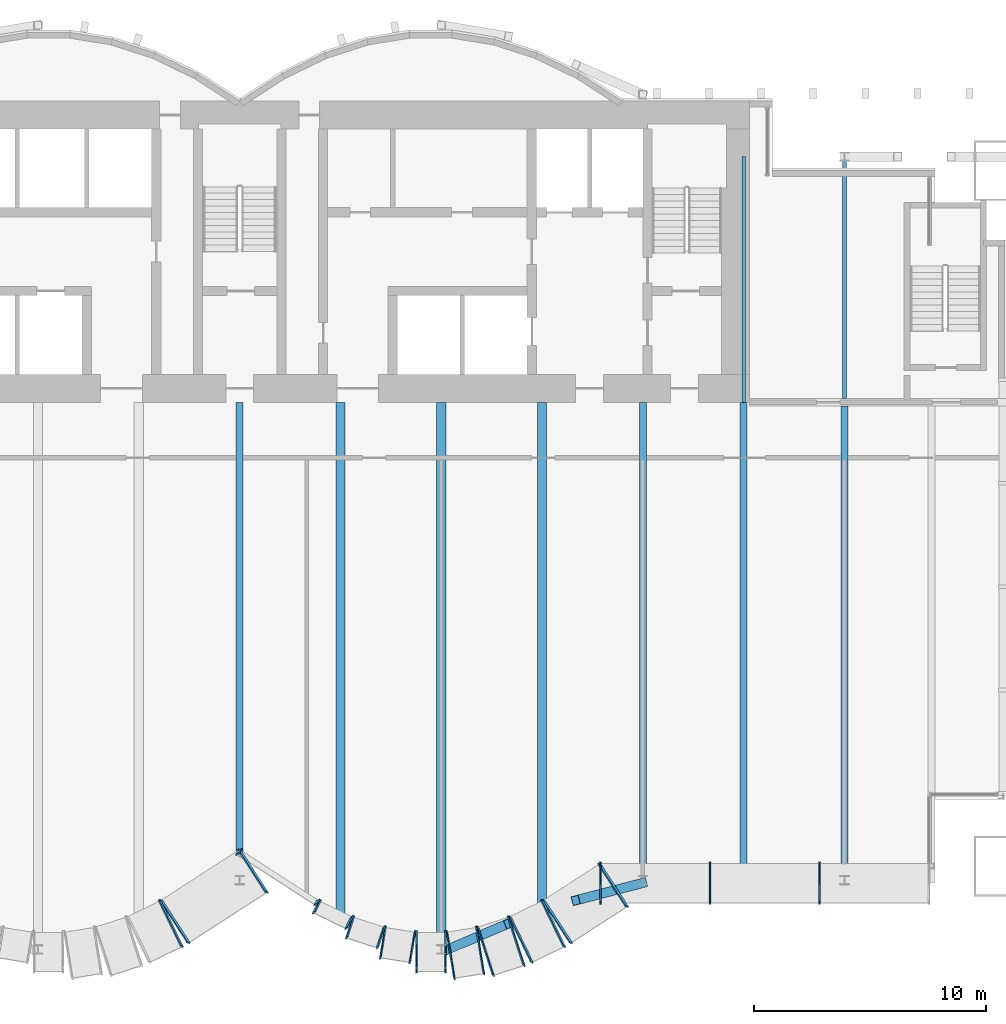
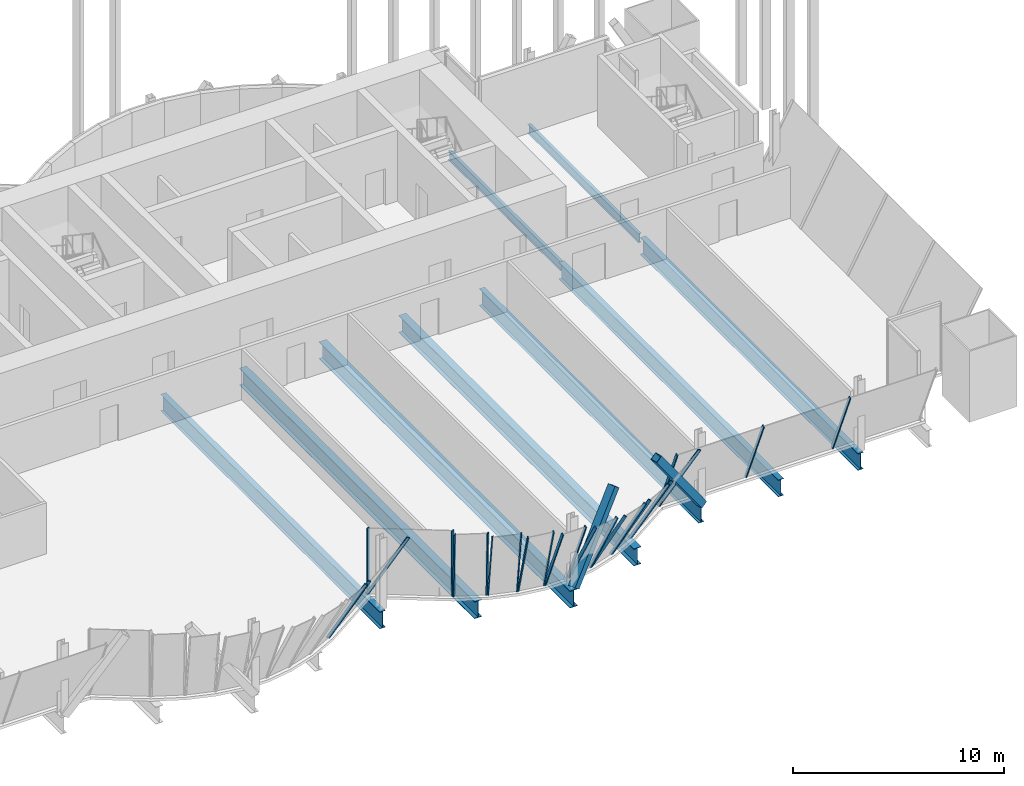
# One storey, part 12 of 33: 26 members, 9 beams, 12 elements without a shape of their own.
"""IFC4 building model written with IfcOpenShell, lengths in metres."""

from ifc_helpers import new_model, si_unit, direction, frame, origin, origin_2d, place, context, subcontext, project, spatial, rectangle, hollow_rectangle, i_section, extrude, material, material_profile, profile_set, type_object, element, aggregate, save


model = new_model("IFC4")

# Units and contexts
model_context = context("Model", 3, precision=1e-05, world=origin(), true_north=direction((0.0, 1.0)))
body_context = subcontext(model_context, "Body", "Model", "MODEL_VIEW")
ifc_project = project(units=[si_unit("LENGTHUNIT", "METRE"), si_unit("AREAUNIT", "SQUARE_METRE"), si_unit("VOLUMEUNIT", "CUBIC_METRE"), si_unit("PLANEANGLEUNIT", "RADIAN"), si_unit("MASSUNIT", "GRAM", prefix="KILO")], contexts=[model_context])

# Site, building, storey
site_placement = place(None, origin())
site = spatial("IfcSite", under=ifc_project, at=site_placement, CompositionType="ELEMENT")
building_placement = place(site_placement, origin())
building = spatial("IfcBuilding", under=site, at=building_placement, Name="Bicima Exchange Tower", CompositionType="ELEMENT")
storey_placement = place(building_placement, frame((0.0, 0.0, 140.39990234375)))
storey = spatial("IfcBuildingStorey", under=building, at=storey_placement, Name="L30", CompositionType="ELEMENT", Elevation=140.39990234375)

# Beams
ifc_material_1 = material(Name="Steel ASTM A992 Gr 50", Category="steel")
ifc_material_profile_1 = material_profile(ifc_material_1, i_section(OverallWidth=0.165771484375, OverallDepth=0.5283203125, WebThickness=0.009765625, FlangeThickness=0.013671875, at=origin_2d()))
ifc_profile_set_1 = profile_set([ifc_material_profile_1], Name="Steel ASTM A992 Gr 50")
beam_type_1 = type_object("IfcBeamType", Name="Floor beam W21x50", PredefinedType="JOIST", material=ifc_profile_set_1)
beam_1_placement = place(storey_placement, frame((21.75, -2.39990234375, -0.4140625), z_axis=(0.0, -1.0, 0.0), x_axis=(1.0, 0.0, 0.0)))
element("IfcBeam", 1, at=beam_1_placement, inside=storey, type_object=beam_type_1, Name="Floor beam", PredefinedType="JOIST", context=body_context, shape_type="SweptSolid", body=[
    extrude(i_section(OverallWidth=0.165771484375, OverallDepth=0.5283203125, WebThickness=0.009765625, FlangeThickness=0.013671875, at=origin_2d()), origin(), (0.0, 0.0, 1.0), 10.60009765625),
])
beam_2_placement = place(storey_placement, frame((26.10009765625, -2.39990234375, -0.4140625), z_axis=(0.0, -1.0, 0.0), x_axis=(1.0, 0.0, 0.0)))
element("IfcBeam", 2, at=beam_2_placement, inside=storey, type_object=beam_type_1, Name="Floor beam", PredefinedType="JOIST", context=body_context, shape_type="SweptSolid", body=[
    extrude(i_section(OverallWidth=0.165771484375, OverallDepth=0.5283203125, WebThickness=0.009765625, FlangeThickness=0.013671875, at=origin_2d()), origin(), (0.0, 0.0, 1.0), 10.44775390625),
])
ifc_material_profile_2 = material_profile(ifc_material_1, i_section(OverallWidth=0.2998046875, OverallDepth=0.97021484375, WebThickness=0.01611328125, FlangeThickness=0.02099609375, at=origin_2d()))
ifc_profile_set_2 = profile_set([ifc_material_profile_2], Name="Steel ASTM A992 Gr 50")
beam_type_2 = type_object("IfcBeamType", Name="Floor beam W40x149", PredefinedType="JOIST", material=ifc_profile_set_2)
for number, where, z_axis, x_axis, name in (
    (3, (0.0, -13.0, -0.635009765625), (0.0, -1.0, 0.0), (1.0, 0.0, 0.0), "Floor beam"),
    (4, (17.39990234375, -13.0, -0.635009765625), (0.0, -1.0, 0.0), (1.0, 0.0, 0.0), "Floor beam"),
    (5, (21.75, -13.0, -0.635009765625), (0.0, -1.0, 0.0), (1.0, 0.0, 0.0), "Floor beam"),
):
    element("IfcBeam", number, at=place(storey_placement, frame(where, z_axis=z_axis, x_axis=x_axis)), inside=storey, type_object=beam_type_2, Name=name, PredefinedType="JOIST", context=body_context, shape_type="SweptSolid", body=[
        extrude(i_section(OverallWidth=0.2998046875, OverallDepth=0.97021484375, WebThickness=0.01611328125, FlangeThickness=0.02099609375, at=origin_2d()), origin(), (0.0, 0.0, 1.0), 20.743896484375),
    ])
beam_3_placement = place(storey_placement, frame((26.10009765625, -13.15234375, -0.635009765625), z_axis=(0.0, -1.0, 0.0), x_axis=(1.0, 0.0, 0.0)))
element("IfcBeam", 6, at=beam_3_placement, inside=storey, type_object=beam_type_2, Name="Floor beam", PredefinedType="JOIST", context=body_context, shape_type="SweptSolid", body=[
    extrude(i_section(OverallWidth=0.2998046875, OverallDepth=0.97021484375, WebThickness=0.01611328125, FlangeThickness=0.02099609375, at=origin_2d()), origin(), (0.0, 0.0, 1.0), 20.591552734375),
])
ifc_material_profile_3 = material_profile(ifc_material_1, i_section(OverallWidth=0.4013671875, OverallDepth=0.990478515625, WebThickness=0.0166015625, FlangeThickness=0.031005859375, at=origin_2d()))
ifc_profile_set_3 = profile_set([ifc_material_profile_3], Name="Steel ASTM A992 Gr 50")
beam_type_3 = type_object("IfcBeamType", Name="Floor beam W40x215", PredefinedType="JOIST", material=ifc_profile_set_3)
beam_4_placement = place(storey_placement, frame((4.35009765625, -13.0, -0.645263671875), z_axis=(0.0, -1.0, 0.0), x_axis=(1.0, 0.0, 0.0)))
element("IfcBeam", 7, at=beam_4_placement, inside=storey, type_object=beam_type_3, Name="Floor beam", PredefinedType="JOIST", context=body_context, shape_type="SweptSolid", body=[
    extrude(i_section(OverallWidth=0.4013671875, OverallDepth=0.990478515625, WebThickness=0.0166015625, FlangeThickness=0.031005859375, at=origin_2d()), origin(), (0.0, 0.0, 1.0), 22.239501953125),
])
beam_5_placement = place(storey_placement, frame((8.699951171875, -13.0, -0.645263671875), z_axis=(0.0, -1.0, 0.0), x_axis=(1.0, 0.0, 0.0)))
element("IfcBeam", 8, at=beam_5_placement, inside=storey, type_object=beam_type_3, Name="Floor beam", PredefinedType="JOIST", context=body_context, shape_type="SweptSolid", body=[
    extrude(i_section(OverallWidth=0.4013671875, OverallDepth=0.990478515625, WebThickness=0.0166015625, FlangeThickness=0.031005859375, at=origin_2d()), origin(), (0.0, 0.0, 1.0), 23.735107421875),
])
beam_6_placement = place(storey_placement, frame((13.050048828125, -13.0, -0.645263671875), z_axis=(0.0, -1.0, 0.0), x_axis=(1.0, 0.0, 0.0)))
element("IfcBeam", 9, at=beam_6_placement, inside=storey, type_object=beam_type_3, Name="Floor beam", PredefinedType="JOIST", context=body_context, shape_type="SweptSolid", body=[
    extrude(i_section(OverallWidth=0.4013671875, OverallDepth=0.990478515625, WebThickness=0.0166015625, FlangeThickness=0.031005859375, at=origin_2d()), origin(), (0.0, 0.0, 1.0), 22.239501953125),
])

# Curtain wall, member
ifc_material_2 = material(Name="Anodised bronze aluminium", Category="aluminium")
curtain_wall_type = type_object("IfcCurtainWallType", Name="Front glass wall", PredefinedType="NOTDEFINED", material=ifc_material_2)
curtain_wall_1_placement = place(storey_placement, origin())
curtain_wall_1 = element("IfcCurtainWall", 10, at=curtain_wall_1_placement, inside=storey, type_object=curtain_wall_type, Name="Canted glass wall L30 43.1", PredefinedType="NOTDEFINED")
ifc_material_profile_4 = material_profile(ifc_material_2, rectangle(XDim=0.159912109375, YDim=0.06005859375, at=origin_2d()))
ifc_profile_set_4 = profile_set([ifc_material_profile_4], Name="Anodised bronze aluminium")
member_type_1 = type_object("IfcMemberType", Name="Front glass wall mullion 60 x 160", PredefinedType="MULLION", material=ifc_profile_set_4)
member_1_placement = place(storey_placement, frame((-3.447509765625, -34.522216796875, 0.0), z_axis=(0.211468405272, -0.436234670385, 0.874631594402), x_axis=(-0.735862958837, 0.517894230961, 0.436223877554)))
member_1 = element("IfcMember", 11, at=member_1_placement, type_object=member_type_1, Name="Canted glass mullion 2", PredefinedType="MULLION", context=body_context, shape_type="SweptSolid", body=[
    extrude(rectangle(XDim=0.159912109375, YDim=0.06005859375, at=origin_2d()), origin(), (0.0, 0.0, 1.0), 4.516357421875),
])
aggregate(curtain_wall_1, [member_1])

# Curtain wall, members
curtain_wall_2_placement = place(storey_placement, origin())
curtain_wall_2 = element("IfcCurtainWall", 12, at=curtain_wall_2_placement, inside=storey, type_object=curtain_wall_type, Name="Canted glass wall L30 44.1", PredefinedType="NOTDEFINED")
member_2_placement = place(storey_placement, frame((-3.3955078125, -34.492919921875, 0.0), z_axis=(0.263202446928, -0.407101587147, 0.874638650914), x_axis=(-0.854710803456, 0.322068996881, 0.407113010973)))
member_2 = element("IfcMember", 13, at=member_2_placement, type_object=member_type_1, Name="Canted glass mullion 1", PredefinedType="MULLION", context=body_context, shape_type="SweptSolid", body=[
    extrude(rectangle(XDim=0.159912109375, YDim=0.06005859375, at=origin_2d()), origin(), (0.0, 0.0, 1.0), 4.516357421875),
])
member_3_placement = place(storey_placement, frame((-0.025146484375, -32.314208984375, 0.0), z_axis=(0.263202446928, -0.407101587147, 0.874638650914), x_axis=(-0.854710803456, 0.322068996881, 0.407113010973)))
member_3 = element("IfcMember", 14, at=member_3_placement, type_object=member_type_1, Name="Canted glass mullion 2", PredefinedType="MULLION", context=body_context, shape_type="SweptSolid", body=[
    extrude(rectangle(XDim=0.159912109375, YDim=0.06005859375, at=origin_2d()), origin(), (0.0, 0.0, 1.0), 4.516357421875),
])
aggregate(curtain_wall_2, [member_2, member_3])

curtain_wall_3_placement = place(storey_placement, origin())
curtain_wall_3 = element("IfcCurtainWall", 15, at=curtain_wall_3_placement, inside=storey, type_object=curtain_wall_type, Name="Canted glass wall L30 45.1", PredefinedType="NOTDEFINED")
member_4_placement = place(storey_placement, frame((0.025146484375, -32.314208984375, 0.0), z_axis=(-0.032758433184, -0.050710794872, 0.998175986657), x_axis=(0.910881897078, 0.409540854769, 0.05069968294)))
member_4 = element("IfcMember", 16, at=member_4_placement, type_object=member_type_1, Name="Canted glass mullion 1", PredefinedType="MULLION", context=body_context, shape_type="SweptSolid", body=[
    extrude(rectangle(XDim=0.159912109375, YDim=0.06005859375, at=origin_2d()), origin(), (0.0, 0.0, 1.0), 3.95751953125),
])
member_5_placement = place(storey_placement, frame((3.3955078125, -34.492919921875, 0.0), z_axis=(-0.032820058759, -0.050710692293, 0.998173967518), x_axis=(0.911231977344, 0.408757853479, 0.050727711218)))
member_5 = element("IfcMember", 17, at=member_5_placement, type_object=member_type_1, Name="Canted glass mullion 2", PredefinedType="MULLION", context=body_context, shape_type="SweptSolid", body=[
    extrude(rectangle(XDim=0.159912109375, YDim=0.06005859375, at=origin_2d()), origin(), (0.0, 0.0, 1.0), 3.95751953125),
])
aggregate(curtain_wall_3, [member_4, member_5])

curtain_wall_4_placement = place(storey_placement, origin())
curtain_wall_4 = element("IfcCurtainWall", 18, at=curtain_wall_4_placement, inside=storey, type_object=curtain_wall_type, Name="Canted glass wall L30 46.1", PredefinedType="NOTDEFINED")
member_6_placement = place(storey_placement, frame((3.447509765625, -34.522216796875, 0.0), z_axis=(-0.062452607082, -0.128819971122, 0.989699493235), x_axis=(0.781051508244, 0.611035322991, 0.128819158228)))
member_6 = element("IfcMember", 19, at=member_6_placement, type_object=member_type_1, Name="Canted glass mullion 1", PredefinedType="MULLION", context=body_context, shape_type="SweptSolid", body=[
    extrude(rectangle(XDim=0.159912109375, YDim=0.06005859375, at=origin_2d()), origin(), (0.0, 0.0, 1.0), 3.9912109375),
])
member_7_placement = place(storey_placement, frame((4.8466796875, -35.20068359375, 0.0), z_axis=(-0.062452607082, -0.128819971122, 0.989699493235), x_axis=(0.781051508244, 0.611035322991, 0.128819158228)))
member_7 = element("IfcMember", 20, at=member_7_placement, type_object=member_type_1, Name="Canted glass mullion 2", PredefinedType="MULLION", context=body_context, shape_type="SweptSolid", body=[
    extrude(rectangle(XDim=0.159912109375, YDim=0.06005859375, at=origin_2d()), origin(), (0.0, 0.0, 1.0), 3.9912109375),
])
aggregate(curtain_wall_4, [member_6, member_7])

curtain_wall_5_placement = place(storey_placement, origin())
curtain_wall_5 = element("IfcCurtainWall", 21, at=curtain_wall_5_placement, inside=storey, type_object=curtain_wall_type, Name="Canted glass wall L30 47.1", PredefinedType="NOTDEFINED")
member_8_placement = place(storey_placement, frame((4.90234375, -35.222900390625, 0.0), z_axis=(-0.071018549868, -0.219730551413, 0.972972173472), x_axis=(0.577402534066, 0.786337207926, 0.219727351699)))
member_8 = element("IfcMember", 22, at=member_8_placement, type_object=member_type_1, Name="Canted glass mullion 1", PredefinedType="MULLION", context=body_context, shape_type="SweptSolid", body=[
    extrude(rectangle(XDim=0.159912109375, YDim=0.06005859375, at=origin_2d()), origin(), (0.0, 0.0, 1.0), 4.059814453125),
])
member_9_placement = place(storey_placement, frame((6.230224609375, -35.652099609375, 0.0), z_axis=(-0.071018549868, -0.219730551413, 0.972972173472), x_axis=(0.577402534066, 0.786337207926, 0.219727351699)))
member_9 = element("IfcMember", 23, at=member_9_placement, type_object=member_type_1, Name="Canted glass mullion 2", PredefinedType="MULLION", context=body_context, shape_type="SweptSolid", body=[
    extrude(rectangle(XDim=0.159912109375, YDim=0.06005859375, at=origin_2d()), origin(), (0.0, 0.0, 1.0), 4.059814453125),
])
aggregate(curtain_wall_5, [member_8, member_9])

curtain_wall_6_placement = place(storey_placement, origin())
curtain_wall_6 = element("IfcCurtainWall", 24, at=curtain_wall_6_placement, inside=storey, type_object=curtain_wall_type, Name="Canted glass wall L30 48.1", PredefinedType="NOTDEFINED")
member_10_placement = place(storey_placement, frame((6.288330078125, -35.666259765625, 0.0), z_axis=(-0.050535241989, -0.312532917682, 0.948561734777), x_axis=(0.306995075409, 0.89893019655, 0.312535638616)))
member_10 = element("IfcMember", 25, at=member_10_placement, type_object=member_type_1, Name="Canted glass mullion 1", PredefinedType="MULLION", context=body_context, shape_type="SweptSolid", body=[
    extrude(rectangle(XDim=0.159912109375, YDim=0.06005859375, at=origin_2d()), origin(), (0.0, 0.0, 1.0), 4.164306640625),
])
member_11_placement = place(storey_placement, frame((7.56298828125, -35.872314453125, 0.0), z_axis=(-0.050535241989, -0.312532917682, 0.948561734777), x_axis=(0.306995075409, 0.89893019655, 0.312535638616)))
member_11 = element("IfcMember", 26, at=member_11_placement, type_object=member_type_1, Name="Canted glass mullion 2", PredefinedType="MULLION", context=body_context, shape_type="SweptSolid", body=[
    extrude(rectangle(XDim=0.159912109375, YDim=0.06005859375, at=origin_2d()), origin(), (0.0, 0.0, 1.0), 4.164306640625),
])
aggregate(curtain_wall_6, [member_10, member_11])

curtain_wall_7_placement = place(storey_placement, origin())
curtain_wall_7 = element("IfcCurtainWall", 27, at=curtain_wall_7_placement, inside=storey, type_object=curtain_wall_type, Name="Canted glass wall L30 49.1", PredefinedType="NOTDEFINED")
member_12_placement = place(storey_placement, frame((7.62255859375, -35.876953125, 0.0), z_axis=(0.0, -0.392560507207, 0.91972618109), x_axis=(0.0, 0.91972618109, 0.392560507207)))
member_12 = element("IfcMember", 28, at=member_12_placement, type_object=member_type_1, Name="Canted glass mullion 1", PredefinedType="MULLION", context=body_context, shape_type="SweptSolid", body=[
    extrude(rectangle(XDim=0.159912109375, YDim=0.06005859375, at=origin_2d()), origin(), (0.0, 0.0, 1.0), 4.294921875),
])
member_13_placement = place(storey_placement, frame((8.87744140625, -35.876953125, 0.0), z_axis=(0.0, -0.392560507207, 0.91972618109), x_axis=(0.0, 0.91972618109, 0.392560507207)))
member_13 = element("IfcMember", 29, at=member_13_placement, type_object=member_type_1, Name="Canted glass mullion 2", PredefinedType="MULLION", context=body_context, shape_type="SweptSolid", body=[
    extrude(rectangle(XDim=0.159912109375, YDim=0.06005859375, at=origin_2d()), origin(), (0.0, 0.0, 1.0), 4.294921875),
])
aggregate(curtain_wall_7, [member_12, member_13])

curtain_wall_8_placement = place(storey_placement, origin())
curtain_wall_8 = element("IfcCurtainWall", 30, at=curtain_wall_8_placement, inside=storey, type_object=curtain_wall_type, Name="Canted glass wall L30 50.1", PredefinedType="NOTDEFINED")
member_14_placement = place(storey_placement, frame((8.93701171875, -35.872314453125, 0.0), z_axis=(0.072379022508, -0.447714379714, 0.891242453712), x_axis=(-0.297936279173, 0.843080281656, 0.447715995064)))
member_14 = element("IfcMember", 31, at=member_14_placement, type_object=member_type_1, Name="Canted glass mullion 1", PredefinedType="MULLION", context=body_context, shape_type="SweptSolid", body=[
    extrude(rectangle(XDim=0.159912109375, YDim=0.06005859375, at=origin_2d()), origin(), (0.0, 0.0, 1.0), 4.43212890625),
])
member_15_placement = place(storey_placement, frame((10.211669921875, -35.666259765625, 0.0), z_axis=(0.072379022508, -0.447714379714, 0.891242453712), x_axis=(-0.297936279173, 0.843080281656, 0.447715995064)))
member_15 = element("IfcMember", 32, at=member_15_placement, type_object=member_type_1, Name="Canted glass mullion 2", PredefinedType="MULLION", context=body_context, shape_type="SweptSolid", body=[
    extrude(rectangle(XDim=0.159912109375, YDim=0.06005859375, at=origin_2d()), origin(), (0.0, 0.0, 1.0), 4.43212890625),
])
aggregate(curtain_wall_8, [member_14, member_15])

curtain_wall_9_placement = place(storey_placement, origin())
curtain_wall_9 = element("IfcCurtainWall", 33, at=curtain_wall_9_placement, inside=storey, type_object=curtain_wall_type, Name="Canted glass wall L30 51.1", PredefinedType="NOTDEFINED")
member_16_placement = place(storey_placement, frame((10.269775390625, -35.652099609375, 0.0), z_axis=(0.149085846677, -0.461312043344, 0.874622552297), x_axis=(-0.548603486377, 0.697305738941, 0.461301334459)))
member_16 = element("IfcMember", 34, at=member_16_placement, type_object=member_type_1, Name="Canted glass mullion 1", PredefinedType="MULLION", context=body_context, shape_type="SweptSolid", body=[
    extrude(rectangle(XDim=0.159912109375, YDim=0.06005859375, at=origin_2d()), origin(), (0.0, 0.0, 1.0), 4.516357421875),
])
member_17_placement = place(storey_placement, frame((11.59765625, -35.222900390625, 0.0), z_axis=(0.149085846677, -0.461312043344, 0.874622552297), x_axis=(-0.548603486377, 0.697305738941, 0.461301334459)))
member_17 = element("IfcMember", 35, at=member_17_placement, type_object=member_type_1, Name="Canted glass mullion 2", PredefinedType="MULLION", context=body_context, shape_type="SweptSolid", body=[
    extrude(rectangle(XDim=0.159912109375, YDim=0.06005859375, at=origin_2d()), origin(), (0.0, 0.0, 1.0), 4.516357421875),
])
aggregate(curtain_wall_9, [member_16, member_17])

curtain_wall_10_placement = place(storey_placement, origin())
curtain_wall_10 = element("IfcCurtainWall", 36, at=curtain_wall_10_placement, inside=storey, type_object=curtain_wall_type, Name="Canted glass wall L30 52.1", PredefinedType="NOTDEFINED")
member_18_placement = place(storey_placement, frame((11.6533203125, -35.20068359375, 0.0), z_axis=(0.211468405272, -0.436234670385, 0.874631594402), x_axis=(-0.735862958837, 0.517894230961, 0.436223877554)))
member_18 = element("IfcMember", 37, at=member_18_placement, type_object=member_type_1, Name="Canted glass mullion 1", PredefinedType="MULLION", context=body_context, shape_type="SweptSolid", body=[
    extrude(rectangle(XDim=0.159912109375, YDim=0.06005859375, at=origin_2d()), origin(), (0.0, 0.0, 1.0), 4.516357421875),
])
member_19_placement = place(storey_placement, frame((13.052490234375, -34.522216796875, 0.0), z_axis=(0.211468405272, -0.436234670385, 0.874631594402), x_axis=(-0.735862958837, 0.517894230961, 0.436223877554)))
member_19 = element("IfcMember", 38, at=member_19_placement, type_object=member_type_1, Name="Canted glass mullion 2", PredefinedType="MULLION", context=body_context, shape_type="SweptSolid", body=[
    extrude(rectangle(XDim=0.159912109375, YDim=0.06005859375, at=origin_2d()), origin(), (0.0, 0.0, 1.0), 4.516357421875),
])
aggregate(curtain_wall_10, [member_18, member_19])

curtain_wall_11_placement = place(storey_placement, origin())
curtain_wall_11 = element("IfcCurtainWall", 39, at=curtain_wall_11_placement, inside=storey, type_object=curtain_wall_type, Name="Canted glass wall L30 53.1", PredefinedType="NOTDEFINED")
member_20_placement = place(storey_placement, frame((13.1044921875, -34.492919921875, 0.0), z_axis=(0.263202446928, -0.407101587147, 0.874638650914), x_axis=(-0.854710022542, 0.322070488642, 0.407113470316)))
member_20 = element("IfcMember", 40, at=member_20_placement, type_object=member_type_1, Name="Canted glass mullion 1", PredefinedType="MULLION", context=body_context, shape_type="SweptSolid", body=[
    extrude(rectangle(XDim=0.159912109375, YDim=0.06005859375, at=origin_2d()), origin(), (0.0, 0.0, 1.0), 4.516357421875),
])
member_21_placement = place(storey_placement, frame((15.521728515625, -32.930419921875, 0.0), z_axis=(0.263202446928, -0.407101587147, 0.874638650914), x_axis=(-0.854710022542, 0.322070488642, 0.407113470316)))
member_21 = element("IfcMember", 41, at=member_21_placement, type_object=member_type_1, Name="Canted glass mullion 2", PredefinedType="MULLION", context=body_context, shape_type="SweptSolid", body=[
    extrude(rectangle(XDim=0.159912109375, YDim=0.06005859375, at=origin_2d()), origin(), (0.0, 0.0, 1.0), 4.516357421875),
])
aggregate(curtain_wall_11, [member_20, member_21])

curtain_wall_12_placement = place(storey_placement, origin())
curtain_wall_12 = element("IfcCurtainWall", 42, at=curtain_wall_12_placement, inside=storey, type_object=curtain_wall_type, Name="Canted glass wall L30 54.1", PredefinedType="NOTDEFINED")
member_22_placement = place(storey_placement, frame((15.576904296875, -32.9140625, 0.0), z_axis=(0.0, -0.392560507207, 0.91972618109), x_axis=(0.0, 0.91972618109, 0.392560507207)))
member_22 = element("IfcMember", 43, at=member_22_placement, type_object=member_type_1, Name="Canted glass mullion 1", PredefinedType="MULLION", context=body_context, shape_type="SweptSolid", body=[
    extrude(rectangle(XDim=0.159912109375, YDim=0.06005859375, at=origin_2d()), origin(), (0.0, 0.0, 1.0), 4.294921875),
])
member_23_placement = place(storey_placement, frame((20.2978515625, -32.9140625, 0.0), z_axis=(0.0, -0.392560507207, 0.91972618109), x_axis=(0.0, 0.91972618109, 0.392560507207)))
member_23 = element("IfcMember", 44, at=member_23_placement, type_object=member_type_1, Name="Canted glass mullion 2", PredefinedType="MULLION", context=body_context, shape_type="SweptSolid", body=[
    extrude(rectangle(XDim=0.159912109375, YDim=0.06005859375, at=origin_2d()), origin(), (0.0, 0.0, 1.0), 4.294921875),
])
member_24_placement = place(storey_placement, frame((25.01904296875, -32.9140625, 0.0), z_axis=(0.0, -0.392560507207, 0.91972618109), x_axis=(0.0, 0.91972618109, 0.392560507207)))
member_24 = element("IfcMember", 45, at=member_24_placement, type_object=member_type_1, Name="Canted glass mullion 3", PredefinedType="MULLION", context=body_context, shape_type="SweptSolid", body=[
    extrude(rectangle(XDim=0.159912109375, YDim=0.06005859375, at=origin_2d()), origin(), (0.0, 0.0, 1.0), 4.294921875),
])
aggregate(curtain_wall_12, [member_22, member_23, member_24])

# Members
ifc_material_3 = material(Name="Steel ASTM A572 Gr 50", Category="steel")
ifc_material_profile_5 = material_profile(ifc_material_3, hollow_rectangle(XDim=0.406494140625, YDim=0.406494140625, WallThickness=0.017822265625, at=origin_2d()))
ifc_profile_set_5 = profile_set([ifc_material_profile_5], Name="Steel ASTM A572 Gr 50")
member_type_2 = type_object("IfcMemberType", Name="Mega brace HSS16x16x3/4", PredefinedType="BRACE", material=ifc_profile_set_5)
member_25_placement = place(storey_placement, frame((8.699951171875, -36.735107421875, 0.0), z_axis=(0.560607084875, 0.239929827385, 0.792561274804), x_axis=(-0.393461568723, 0.919341065078, 0.0)))
element("IfcMember", 46, at=member_25_placement, inside=storey, type_object=member_type_2, Name="Mega brace front", PredefinedType="BRACE", context=body_context, shape_type="SweptSolid", body=[
    extrude(hollow_rectangle(XDim=0.406494140625, YDim=0.406494140625, WallThickness=0.017822265625, at=origin_2d()), origin(), (0.0, 0.0, 1.0), 5.17333984375),
])
member_26_placement = place(storey_placement, frame((17.39990234375, -33.743896484375, 0.0), z_axis=(-0.571056012695, -0.148316871457, 0.807401471392), x_axis=(0.251383493766, -0.9678875653, 0.0)))
element("IfcMember", 47, at=member_26_placement, inside=storey, type_object=member_type_2, Name="Mega brace front", PredefinedType="BRACE", context=body_context, shape_type="SweptSolid", body=[
    extrude(hollow_rectangle(XDim=0.406494140625, YDim=0.406494140625, WallThickness=0.017822265625, at=origin_2d()), origin(), (0.0, 0.0, 1.0), 5.078125),
])

save(model, "model.ifc")
